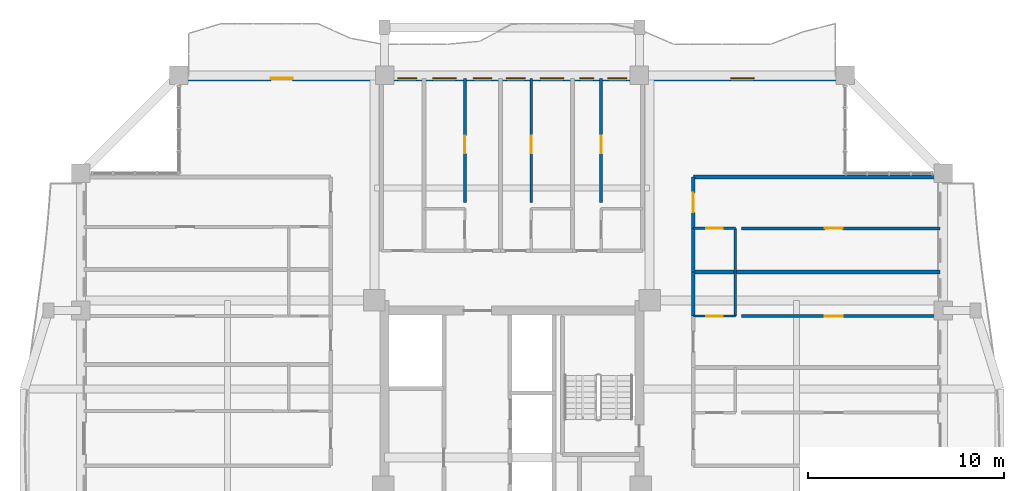
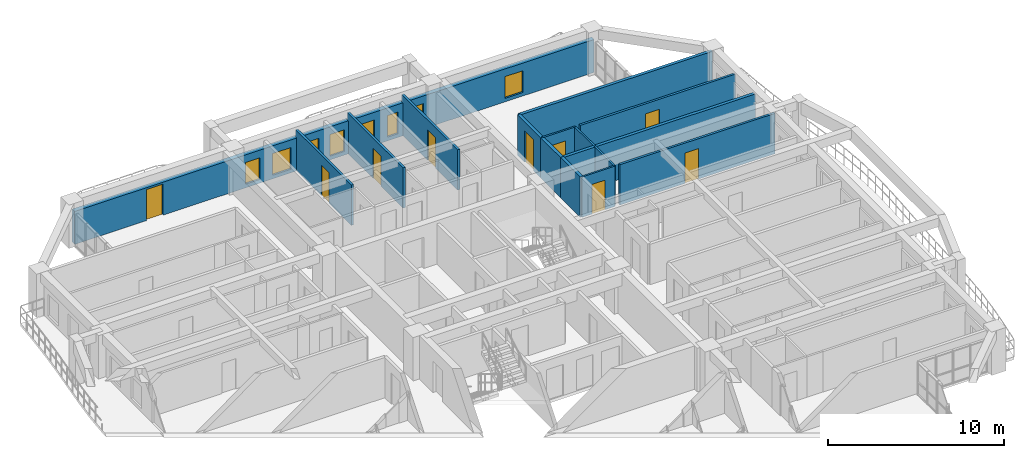
# One storey, part 17 of 24: 15 walls, 9 doors, 8 windows, 17 openings.
"""IFC4 building model written with IfcOpenShell, lengths in metres."""

from ifc_helpers import new_model, si_unit, direction, frame, frame_2d, origin, place, context, subcontext, project, spatial, rectangle, extrude, source, transform, mapped, material, layer, layer_set, type_object, element, fill, save


model = new_model("IFC4")

# Units and contexts
model_context = context("Model", 3, precision=1e-05, world=origin(), true_north=direction((0.0, 1.0)))
body_context = subcontext(model_context, "Body", "Model", "MODEL_VIEW")
ifc_project = project(units=[si_unit("LENGTHUNIT", "METRE"), si_unit("AREAUNIT", "SQUARE_METRE"), si_unit("VOLUMEUNIT", "CUBIC_METRE"), si_unit("PLANEANGLEUNIT", "RADIAN"), si_unit("MASSUNIT", "GRAM", prefix="KILO")], contexts=[model_context])

# Site, building, storey
site_placement = place(None, origin())
site = spatial("IfcSite", under=ifc_project, at=site_placement, CompositionType="ELEMENT")
building_placement = place(site_placement, origin())
building = spatial("IfcBuilding", under=site, at=building_placement, Name="Saelheon Loggia Tower", CompositionType="ELEMENT")
storey_placement = place(building_placement, frame((0.0, 0.0, 166.0)))
storey = spatial("IfcBuildingStorey", under=building, at=storey_placement, Name="L52", CompositionType="ELEMENT", Elevation=166.0)

# Wall, openings, windows, door
ifc_material_1 = material(Name="Architectural Precast Concrete C40/50", Category="concrete")
ifc_layer_1 = layer(ifc_material_1, 0.280029296875)
ifc_layer_set_1 = layer_set([ifc_layer_1], Name="Architectural Precast Concrete C40/50")
wall_type_1 = type_object("IfcWallType", Name="Wall_Ext_Loggia_280", PredefinedType="SOLIDWALL", material=ifc_layer_set_1)
wall_1_placement = place(storey_placement, frame((21.0, 47.860107421875, 0.0), z_axis=(0.0, 0.0, 1.0), x_axis=(1.0, 0.0, 0.0)))
wall_1 = element("IfcWall", 1, at=wall_1_placement, inside=storey, type_object=wall_type_1, Name="L52 North Loggia Inner Wall", PredefinedType="SOLIDWALL", context=body_context, shape_type="SweptSolid", body=[
    extrude(rectangle(XDim=34.0, YDim=0.280029296875, at=frame_2d((17.0, 0.0))), origin(), (0.0, 0.0, 1.0), 2.280029296875),
])
opening_1_placement = place(wall_1_placement, frame((4.699951171875, 0.0, 0.0)))
opening_1 = element("IfcOpeningElement", 2, at=opening_1_placement, cuts=wall_1, Name="Opening TD1", PredefinedType="OPENING", context=body_context, shape_type="SweptSolid", body=[
    extrude(rectangle(XDim=1.10009765625, YDim=2.14990234375, at=frame_2d((0.550048828125, 1.074951171875))), frame((0.0, 0.152099609375, 0.0), z_axis=(0.0, -1.0, 0.0), x_axis=(1.0, 0.0, 0.0)), (0.0, 0.0, 1.0), 0.303955078125),
])
opening_2_placement = place(wall_1_placement, frame((11.1826171875, 0.0, 0.25)))
opening_2 = element("IfcOpeningElement", 3, at=opening_2_placement, cuts=wall_1, Name="Opening WN-04", PredefinedType="OPENING", context=body_context, shape_type="SweptSolid", body=[
    extrude(rectangle(XDim=0.949951171875, YDim=1.5, at=frame_2d((0.47509765625, 0.75))), frame((0.0, 0.152099609375, 0.0), z_axis=(0.0, -1.0, 0.0), x_axis=(1.0, 0.0, 0.0)), (0.0, 0.0, 1.0), 0.303955078125),
])
opening_3_placement = place(wall_1_placement, frame((12.949951171875, 0.0, 0.25)))
opening_3 = element("IfcOpeningElement", 4, at=opening_3_placement, cuts=wall_1, Name="Opening WN-03", PredefinedType="OPENING", context=body_context, shape_type="SweptSolid", body=[
    extrude(rectangle(XDim=1.199951171875, YDim=1.5, at=frame_2d((0.60009765625, 0.75))), frame((0.0, 0.152099609375, 0.0), z_axis=(0.0, -1.0, 0.0), x_axis=(1.0, 0.0, 0.0)), (0.0, 0.0, 1.0), 0.303955078125),
])
opening_4_placement = place(wall_1_placement, frame((15.0263671875, 0.0, 0.25)))
opening_4 = element("IfcOpeningElement", 5, at=opening_4_placement, cuts=wall_1, Name="Opening WN-04", PredefinedType="OPENING", context=body_context, shape_type="SweptSolid", body=[
    extrude(rectangle(XDim=0.949951171875, YDim=1.5, at=frame_2d((0.47509765625, 0.75))), frame((0.0, 0.152099609375, 0.0), z_axis=(0.0, -1.0, 0.0), x_axis=(1.0, 0.0, 0.0)), (0.0, 0.0, 1.0), 0.303955078125),
])
opening_5_placement = place(wall_1_placement, frame((16.71728515625, 0.0, 0.25)))
opening_5 = element("IfcOpeningElement", 6, at=opening_5_placement, cuts=wall_1, Name="Opening WN-04", PredefinedType="OPENING", context=body_context, shape_type="SweptSolid", body=[
    extrude(rectangle(XDim=0.949951171875, YDim=1.5, at=frame_2d((0.47509765625, 0.75))), frame((0.0, 0.152099609375, 0.0), z_axis=(0.0, -1.0, 0.0), x_axis=(1.0, 0.0, 0.0)), (0.0, 0.0, 1.0), 0.303955078125),
])
opening_6_placement = place(wall_1_placement, frame((18.431884765625, 0.0, 0.25)))
opening_6 = element("IfcOpeningElement", 7, at=opening_6_placement, cuts=wall_1, Name="Opening WN-03", PredefinedType="OPENING", context=body_context, shape_type="SweptSolid", body=[
    extrude(rectangle(XDim=1.199951171875, YDim=1.5, at=frame_2d((0.60009765625, 0.75))), frame((0.0, 0.152099609375, 0.0), z_axis=(0.0, -1.0, 0.0), x_axis=(1.0, 0.0, 0.0)), (0.0, 0.0, 1.0), 0.303955078125),
])
opening_7_placement = place(wall_1_placement, frame((20.466064453125, 0.0, 0.25)))
opening_7 = element("IfcOpeningElement", 8, at=opening_7_placement, cuts=wall_1, Name="Opening WN-06", PredefinedType="OPENING", context=body_context, shape_type="SweptSolid", body=[
    extrude(rectangle(XDim=0.699951171875, YDim=1.5, at=frame_2d((0.35009765625, 0.75))), frame((0.0, 0.152099609375, 0.0), z_axis=(0.0, -1.0, 0.0), x_axis=(1.0, 0.0, 0.0)), (0.0, 0.0, 1.0), 0.303955078125),
])
opening_8_placement = place(wall_1_placement, frame((21.892578125, 0.0, 0.25)))
opening_8 = element("IfcOpeningElement", 9, at=opening_8_placement, cuts=wall_1, Name="Opening WN-04", PredefinedType="OPENING", context=body_context, shape_type="SweptSolid", body=[
    extrude(rectangle(XDim=0.949951171875, YDim=1.5, at=frame_2d((0.47509765625, 0.75))), frame((0.0, 0.152099609375, 0.0), z_axis=(0.0, -1.0, 0.0), x_axis=(1.0, 0.0, 0.0)), (0.0, 0.0, 1.0), 0.303955078125),
])
opening_9_placement = place(wall_1_placement, frame((28.14990234375, 0.0, 0.25)))
opening_9 = element("IfcOpeningElement", 10, at=opening_9_placement, cuts=wall_1, Name="Opening WN-03", PredefinedType="OPENING", context=body_context, shape_type="SweptSolid", body=[
    extrude(rectangle(XDim=1.199951171875, YDim=1.5, at=frame_2d((0.60009765625, 0.75))), frame((0.0, 0.152099609375, 0.0), z_axis=(0.0, -1.0, 0.0), x_axis=(1.0, 0.0, 0.0)), (0.0, 0.0, 1.0), 0.303955078125),
])
ifc_material_2 = material(Name="Thermal-Break Aluminium and Triple Low-E Glass", Category="aluminium")
window_type_1 = type_object("IfcWindowType", Name="Win_Slot_700x1500", PartitioningType="SINGLE_PANEL", PredefinedType="WINDOW", material=ifc_material_2)
shared_shape_1 = source(origin(), body_context, "Body", "SweptSolid", [
    extrude(rectangle(XDim=0.699951171875, YDim=1.5, at=frame_2d((0.35009765625, 0.75))), frame((0.0, 0.030029296875, 0.0), z_axis=(0.0, -1.0, 0.0), x_axis=(1.0, 0.0, 0.0)), (0.0, 0.0, 1.0), 0.06005859375),
])
window_1_placement = place(opening_7_placement, origin())
window_1 = element("IfcWindow", 11, at=window_1_placement, inside=storey, type_object=window_type_1, Name="L52 N Dwelling Window 7", OverallHeight=1.5, OverallWidth=0.699951171875, PartitioningType="SINGLE_PANEL", PredefinedType="WINDOW", context=body_context, shape_type="MappedRepresentation", body=[
    mapped(shared_shape_1, transform((0.0, 0.0, 0.0), scale=1.0)),
])
fill(opening_7, window_1)
window_type_2 = type_object("IfcWindowType", Name="Win_Bedroom_1200x1500", PartitioningType="SINGLE_PANEL", PredefinedType="WINDOW", material=ifc_material_2)
shared_shape_2 = source(origin(), body_context, "Body", "SweptSolid", [
    extrude(rectangle(XDim=1.199951171875, YDim=1.5, at=frame_2d((0.60009765625, 0.75))), frame((0.0, 0.030029296875, 0.0), z_axis=(0.0, -1.0, 0.0), x_axis=(1.0, 0.0, 0.0)), (0.0, 0.0, 1.0), 0.06005859375),
])
window_2_placement = place(opening_3_placement, origin())
window_2 = element("IfcWindow", 12, at=window_2_placement, inside=storey, type_object=window_type_2, Name="L52 N Dwelling Window 3", OverallHeight=1.5, OverallWidth=1.199951171875, PartitioningType="SINGLE_PANEL", PredefinedType="WINDOW", context=body_context, shape_type="MappedRepresentation", body=[
    mapped(shared_shape_2, transform((0.0, 0.0, 0.0), scale=1.0)),
])
fill(opening_3, window_2)
window_3_placement = place(opening_6_placement, origin())
window_3 = element("IfcWindow", 13, at=window_3_placement, inside=storey, type_object=window_type_2, Name="L52 N Dwelling Window 6", OverallHeight=1.5, OverallWidth=1.199951171875, PartitioningType="SINGLE_PANEL", PredefinedType="WINDOW", context=body_context, shape_type="MappedRepresentation", body=[
    mapped(shared_shape_2, transform((0.0, 0.0, 0.0), scale=1.0)),
])
fill(opening_6, window_3)
window_4_placement = place(opening_9_placement, origin())
window_4 = element("IfcWindow", 14, at=window_4_placement, inside=storey, type_object=window_type_2, Name="L52 N Dwelling Window 9", OverallHeight=1.5, OverallWidth=1.199951171875, PartitioningType="SINGLE_PANEL", PredefinedType="WINDOW", context=body_context, shape_type="MappedRepresentation", body=[
    mapped(shared_shape_2, transform((0.0, 0.0, 0.0), scale=1.0)),
])
fill(opening_9, window_4)
ifc_material_3 = material(Name="Thermal-Break Aluminium Glazed Door", Category="aluminium")
door_type_1 = type_object("IfcDoorType", Name="Door_Terrace_TD1", OperationType="NOTDEFINED", PredefinedType="DOOR", material=ifc_material_3)
shared_shape_3 = source(origin(), body_context, "Body", "SweptSolid", [
    extrude(rectangle(XDim=1.10009765625, YDim=2.14990234375, at=frame_2d((0.550048828125, 1.074951171875))), frame((0.0, 0.02490234375, 0.0), z_axis=(0.0, -1.0, 0.0), x_axis=(1.0, 0.0, 0.0)), (0.0, 0.0, 1.0), 0.050048828125),
])
door_1_placement = place(opening_1_placement, origin())
door_1 = element("IfcDoor", 15, at=door_1_placement, inside=storey, type_object=door_type_1, Name="L52 N Loggia Access Door", OperationType="SINGLE_SWING_LEFT", OverallHeight=2.14990234375, OverallWidth=1.10009765625, PredefinedType="DOOR", context=body_context, shape_type="MappedRepresentation", body=[
    mapped(shared_shape_3, transform((0.0, 0.0, 0.0), scale=1.0)),
])
fill(opening_1, door_1)
window_type_3 = type_object("IfcWindowType", Name="Win_Narrow_950x1500", PartitioningType="SINGLE_PANEL", PredefinedType="WINDOW", material=ifc_material_2)
shared_shape_4 = source(origin(), body_context, "Body", "SweptSolid", [
    extrude(rectangle(XDim=0.949951171875, YDim=1.5, at=frame_2d((0.47509765625, 0.75))), frame((0.0, 0.030029296875, 0.0), z_axis=(0.0, -1.0, 0.0), x_axis=(1.0, 0.0, 0.0)), (0.0, 0.0, 1.0), 0.06005859375),
])
window_5_placement = place(opening_2_placement, origin())
window_5 = element("IfcWindow", 16, at=window_5_placement, inside=storey, type_object=window_type_3, Name="L52 N Dwelling Window 2", OverallHeight=1.5, OverallWidth=0.949951171875, PartitioningType="SINGLE_PANEL", PredefinedType="WINDOW", context=body_context, shape_type="MappedRepresentation", body=[
    mapped(shared_shape_4, transform((0.0, 0.0, 0.0), scale=1.0)),
])
fill(opening_2, window_5)
window_6_placement = place(opening_4_placement, origin())
window_6 = element("IfcWindow", 17, at=window_6_placement, inside=storey, type_object=window_type_3, Name="L52 N Dwelling Window 4", OverallHeight=1.5, OverallWidth=0.949951171875, PartitioningType="SINGLE_PANEL", PredefinedType="WINDOW", context=body_context, shape_type="MappedRepresentation", body=[
    mapped(shared_shape_4, transform((0.0, 0.0, 0.0), scale=1.0)),
])
fill(opening_4, window_6)
window_7_placement = place(opening_5_placement, origin())
window_7 = element("IfcWindow", 18, at=window_7_placement, inside=storey, type_object=window_type_3, Name="L52 N Dwelling Window 5", OverallHeight=1.5, OverallWidth=0.949951171875, PartitioningType="SINGLE_PANEL", PredefinedType="WINDOW", context=body_context, shape_type="MappedRepresentation", body=[
    mapped(shared_shape_4, transform((0.0, 0.0, 0.0), scale=1.0)),
])
fill(opening_5, window_7)
window_8_placement = place(opening_8_placement, origin())
window_8 = element("IfcWindow", 19, at=window_8_placement, inside=storey, type_object=window_type_3, Name="L52 N Dwelling Window 8", OverallHeight=1.5, OverallWidth=0.949951171875, PartitioningType="SINGLE_PANEL", PredefinedType="WINDOW", context=body_context, shape_type="MappedRepresentation", body=[
    mapped(shared_shape_4, transform((0.0, 0.0, 0.0), scale=1.0)),
])
fill(opening_8, window_8)

# Wall, opening, door
ifc_material_4 = material(Name="Lightweight Autoclaved Aerated Concrete Block and Acoustic Gypsum", Category="concrete")
ifc_layer_2 = layer(ifc_material_4, 0.14990234375)
ifc_layer_set_2 = layer_set([ifc_layer_2], Name="Lightweight Autoclaved Aerated Concrete Block and Acoustic Gypsum")
wall_type_2 = type_object("IfcWallType", Name="Wall_Part_150", PredefinedType="PARTITIONING", material=ifc_layer_set_2)
wall_2_placement = place(storey_placement, frame((35.60009765625, 41.510009765625, 0.0), z_axis=(0.0, 0.0, 1.0), x_axis=(0.0, 1.0, 0.0)))
wall_2 = element("IfcWall", 20, at=wall_2_placement, inside=storey, type_object=wall_type_2, Name="L52 N Partition U09", PredefinedType="PARTITIONING", context=body_context, shape_type="SweptSolid", body=[
    extrude(rectangle(XDim=6.340087890625, YDim=0.14990234375, at=frame_2d((3.169921875, 0.0))), origin(), (0.0, 0.0, 1.0), 2.7900390625),
])
opening_10_placement = place(wall_2_placement, frame((2.51318359375, 0.0, 0.0)))
opening_10 = element("IfcOpeningElement", 21, at=opening_10_placement, cuts=wall_2, Name="Opening D-IN2", PredefinedType="OPENING", context=body_context, shape_type="SweptSolid", body=[
    extrude(rectangle(XDim=0.89990234375, YDim=2.10009765625, at=frame_2d((0.449951171875, 1.050048828125))), frame((0.0, 0.0869140625, 0.0), z_axis=(0.0, -1.0, 0.0), x_axis=(1.0, 0.0, 0.0)), (0.0, 0.0, 1.0), 0.173828125),
])
ifc_material_5 = material(Name="Engineered Oak Flush Door", Category="timber")
door_type_2 = type_object("IfcDoorType", Name="Door_Int_900", OperationType="NOTDEFINED", PredefinedType="DOOR", material=ifc_material_5)
shared_shape_5 = source(origin(), body_context, "Body", "SweptSolid", [
    extrude(rectangle(XDim=0.89990234375, YDim=2.10009765625, at=frame_2d((0.449951171875, 1.050048828125))), frame((0.0, 0.02490234375, 0.0), z_axis=(0.0, -1.0, 0.0), x_axis=(1.0, 0.0, 0.0)), (0.0, 0.0, 1.0), 0.050048828125),
])
door_2_placement = place(opening_10_placement, origin())
door_2 = element("IfcDoor", 22, at=door_2_placement, inside=storey, type_object=door_type_2, Name="Unit U04 Kitchen Door", OperationType="SINGLE_SWING_LEFT", OverallHeight=2.10009765625, OverallWidth=0.89990234375, PredefinedType="DOOR", context=body_context, shape_type="MappedRepresentation", body=[
    mapped(shared_shape_5, transform((0.0, 0.0, 0.0), scale=1.0)),
])
fill(opening_10, door_2)

wall_3_placement = place(storey_placement, frame((38.98193359375, 41.510009765625, 0.0), z_axis=(0.0, 0.0, 1.0), x_axis=(0.0, 1.0, 0.0)))
wall_3 = element("IfcWall", 23, at=wall_3_placement, inside=storey, type_object=wall_type_2, Name="L52 N Partition U15", PredefinedType="PARTITIONING", context=body_context, shape_type="SweptSolid", body=[
    extrude(rectangle(XDim=6.340087890625, YDim=0.14990234375, at=frame_2d((3.169921875, 0.0))), origin(), (0.0, 0.0, 1.0), 2.7900390625),
])
opening_11_placement = place(wall_3_placement, frame((2.51318359375, 0.0, 0.0)))
opening_11 = element("IfcOpeningElement", 24, at=opening_11_placement, cuts=wall_3, Name="Opening D-IN2", PredefinedType="OPENING", context=body_context, shape_type="SweptSolid", body=[
    extrude(rectangle(XDim=0.89990234375, YDim=2.10009765625, at=frame_2d((0.449951171875, 1.050048828125))), frame((0.0, 0.0869140625, 0.0), z_axis=(0.0, -1.0, 0.0), x_axis=(1.0, 0.0, 0.0)), (0.0, 0.0, 1.0), 0.173828125),
])
door_3_placement = place(opening_11_placement, origin())
door_3 = element("IfcDoor", 25, at=door_3_placement, inside=storey, type_object=door_type_2, Name="Unit U05 Kitchen Door", OperationType="SINGLE_SWING_RIGHT", OverallHeight=2.10009765625, OverallWidth=0.89990234375, PredefinedType="DOOR", context=body_context, shape_type="MappedRepresentation", body=[
    mapped(shared_shape_5, transform((0.0, 0.0, 0.0), scale=1.0)),
])
fill(opening_11, door_3)

wall_4_placement = place(storey_placement, frame((42.550048828125, 41.510009765625, 0.0), z_axis=(0.0, 0.0, 1.0), x_axis=(0.0, 1.0, 0.0)))
wall_4 = element("IfcWall", 26, at=wall_4_placement, inside=storey, type_object=wall_type_2, Name="L52 N Partition U21", PredefinedType="PARTITIONING", context=body_context, shape_type="SweptSolid", body=[
    extrude(rectangle(XDim=6.340087890625, YDim=0.14990234375, at=frame_2d((3.169921875, 0.0))), origin(), (0.0, 0.0, 1.0), 2.7900390625),
])
opening_12_placement = place(wall_4_placement, frame((2.51318359375, 0.0, 0.0)))
opening_12 = element("IfcOpeningElement", 27, at=opening_12_placement, cuts=wall_4, Name="Opening D-IN2", PredefinedType="OPENING", context=body_context, shape_type="SweptSolid", body=[
    extrude(rectangle(XDim=0.89990234375, YDim=2.10009765625, at=frame_2d((0.449951171875, 1.050048828125))), frame((0.0, 0.0869140625, 0.0), z_axis=(0.0, -1.0, 0.0), x_axis=(1.0, 0.0, 0.0)), (0.0, 0.0, 1.0), 0.173828125),
])
door_4_placement = place(opening_12_placement, origin())
door_4 = element("IfcDoor", 28, at=door_4_placement, inside=storey, type_object=door_type_2, Name="Unit U06 Kitchen Door", OperationType="SINGLE_SWING_LEFT", OverallHeight=2.10009765625, OverallWidth=0.89990234375, PredefinedType="DOOR", context=body_context, shape_type="MappedRepresentation", body=[
    mapped(shared_shape_5, transform((0.0, 0.0, 0.0), scale=1.0)),
])
fill(opening_12, door_4)

wall_5_placement = place(storey_placement, frame((49.7099609375, 35.719970703125, 0.0), z_axis=(0.0, 0.0, 1.0), x_axis=(1.0, 0.0, 0.0)))
wall_5 = element("IfcWall", 29, at=wall_5_placement, inside=storey, type_object=wall_type_2, Name="L52 EN Partition U13", PredefinedType="PARTITIONING", context=body_context, shape_type="SweptSolid", body=[
    extrude(rectangle(XDim=10.14013671875, YDim=0.14990234375, at=frame_2d((5.070068359375, 0.0))), origin(), (0.0, 0.0, 1.0), 2.7900390625),
])
opening_13_placement = place(wall_5_placement, frame((4.2548828125, 0.0, 0.0)))
opening_13 = element("IfcOpeningElement", 30, at=opening_13_placement, cuts=wall_5, Name="Opening D-IN2", PredefinedType="OPENING", context=body_context, shape_type="SweptSolid", body=[
    extrude(rectangle(XDim=0.89990234375, YDim=2.10009765625, at=frame_2d((0.449951171875, 1.050048828125))), frame((0.0, 0.0869140625, 0.0), z_axis=(0.0, -1.0, 0.0), x_axis=(1.0, 0.0, 0.0)), (0.0, 0.0, 1.0), 0.173828125),
])
door_5_placement = place(opening_13_placement, origin())
door_5 = element("IfcDoor", 31, at=door_5_placement, inside=storey, type_object=door_type_2, Name="Unit U17 Kitchen Door", OperationType="SINGLE_SWING_RIGHT", OverallHeight=2.10009765625, OverallWidth=0.89990234375, PredefinedType="DOOR", context=body_context, shape_type="MappedRepresentation", body=[
    mapped(shared_shape_5, transform((0.0, 0.0, 0.0), scale=1.0)),
])
fill(opening_13, door_5)

wall_6_placement = place(storey_placement, frame((49.7099609375, 40.193359375, 0.0), z_axis=(0.0, 0.0, 1.0), x_axis=(1.0, 0.0, 0.0)))
wall_6 = element("IfcWall", 32, at=wall_6_placement, inside=storey, type_object=wall_type_2, Name="L52 EN Partition U19", PredefinedType="PARTITIONING", context=body_context, shape_type="SweptSolid", body=[
    extrude(rectangle(XDim=10.14013671875, YDim=0.14990234375, at=frame_2d((5.070068359375, 0.0))), origin(), (0.0, 0.0, 1.0), 2.7900390625),
])
opening_14_placement = place(wall_6_placement, frame((4.2548828125, 0.0, 0.0)))
opening_14 = element("IfcOpeningElement", 33, at=opening_14_placement, cuts=wall_6, Name="Opening D-IN2", PredefinedType="OPENING", context=body_context, shape_type="SweptSolid", body=[
    extrude(rectangle(XDim=0.89990234375, YDim=2.10009765625, at=frame_2d((0.449951171875, 1.050048828125))), frame((0.0, 0.0869140625, 0.0), z_axis=(0.0, -1.0, 0.0), x_axis=(1.0, 0.0, 0.0)), (0.0, 0.0, 1.0), 0.173828125),
])
door_6_placement = place(opening_14_placement, origin())
door_6 = element("IfcDoor", 34, at=door_6_placement, inside=storey, type_object=door_type_2, Name="Unit U18 Kitchen Door", OperationType="SINGLE_SWING_LEFT", OverallHeight=2.10009765625, OverallWidth=0.89990234375, PredefinedType="DOOR", context=body_context, shape_type="MappedRepresentation", body=[
    mapped(shared_shape_5, transform((0.0, 0.0, 0.0), scale=1.0)),
])
fill(opening_14, door_6)

# Walls
ifc_material_6 = material(Name="Double Acoustic Stud and Fireboard Partition", Category="gypsum")
ifc_layer_3 = layer(ifc_material_6, 0.199951171875)
ifc_layer_set_3 = layer_set([ifc_layer_3], Name="Double Acoustic Stud and Fireboard Partition")
wall_type_3 = type_object("IfcWallType", Name="Wall_Party_200", PredefinedType="PARTITIONING", material=ifc_layer_set_3)
wall_7_placement = place(storey_placement, frame((47.25, 42.820068359375, 0.0), z_axis=(0.0, 0.0, 1.0), x_axis=(1.0, 0.0, 0.0)))
element("IfcWall", 35, at=wall_7_placement, inside=storey, type_object=wall_type_3, Name="L52 EN Partition U02", PredefinedType="PARTITIONING", context=body_context, shape_type="SweptSolid", body=[
    extrude(rectangle(XDim=12.60009765625, YDim=0.199951171875, at=frame_2d((6.300048828125, 0.0))), origin(), (0.0, 0.0, 1.0), 2.7900390625),
])
wall_8_placement = place(storey_placement, frame((47.25, 35.719970703125, 0.0), z_axis=(0.0, 0.0, 1.0), x_axis=(0.0, 1.0, 0.0)))
element("IfcWall", 36, at=wall_8_placement, inside=storey, type_object=wall_type_3, Name="L52 EN Partition V10", PredefinedType="PARTITIONING", context=body_context, shape_type="SweptSolid", body=[
    extrude(rectangle(XDim=2.23583984375, YDim=0.199951171875, at=frame_2d((1.117919921875, 0.0))), origin(), (0.0, 0.0, 1.0), 2.7900390625),
])
wall_9_placement = place(storey_placement, frame((47.25, 37.955810546875, 0.0), z_axis=(0.0, 0.0, 1.0), x_axis=(1.0, 0.0, 0.0)))
element("IfcWall", 37, at=wall_9_placement, inside=storey, type_object=wall_type_3, Name="L52 EN Partition U14", PredefinedType="PARTITIONING", context=body_context, shape_type="SweptSolid", body=[
    extrude(rectangle(XDim=12.60009765625, YDim=0.199951171875, at=frame_2d((6.300048828125, 0.0))), origin(), (0.0, 0.0, 1.0), 2.7900390625),
])
wall_10_placement = place(storey_placement, frame((47.25, 37.955810546875, 0.0), z_axis=(0.0, 0.0, 1.0), x_axis=(0.0, 1.0, 0.0)))
element("IfcWall", 38, at=wall_10_placement, inside=storey, type_object=wall_type_3, Name="L52 EN Partition V15", PredefinedType="PARTITIONING", context=body_context, shape_type="SweptSolid", body=[
    extrude(rectangle(XDim=2.237548828125, YDim=0.199951171875, at=frame_2d((1.11865234375, 0.0))), origin(), (0.0, 0.0, 1.0), 2.7900390625),
])

# Wall, opening, door
wall_11_placement = place(storey_placement, frame((47.25, 40.193359375, 0.0), z_axis=(0.0, 0.0, 1.0), x_axis=(0.0, 1.0, 0.0)))
wall_11 = element("IfcWall", 39, at=wall_11_placement, inside=storey, type_object=wall_type_3, Name="L52 EN Partition V16", PredefinedType="PARTITIONING", context=body_context, shape_type="SweptSolid", body=[
    extrude(rectangle(XDim=2.626708984375, YDim=0.199951171875, at=frame_2d((1.3134765625, 0.0))), origin(), (0.0, 0.0, 1.0), 2.7900390625),
])
opening_15_placement = place(wall_11_placement, frame((0.813232421875, 0.0, 0.0)))
opening_15 = element("IfcOpeningElement", 40, at=opening_15_placement, cuts=wall_11, Name="Opening D-FD1", PredefinedType="OPENING", context=body_context, shape_type="SweptSolid", body=[
    extrude(rectangle(XDim=1.0, YDim=2.14990234375, at=frame_2d((0.5, 1.074951171875))), frame((0.0, 0.112060546875, 0.0), z_axis=(0.0, -1.0, 0.0), x_axis=(1.0, 0.0, 0.0)), (0.0, 0.0, 1.0), 0.223876953125),
])
ifc_material_7 = material(Name="Fire-Rated Engineered Timber Entrance Door", Category="wood")
door_type_3 = type_object("IfcDoorType", Name="Door_Flat_FD30S", OperationType="NOTDEFINED", PredefinedType="DOOR", material=ifc_material_7)
shared_shape_6 = source(origin(), body_context, "Body", "SweptSolid", [
    extrude(rectangle(XDim=1.0, YDim=2.14990234375, at=frame_2d((0.5, 1.074951171875))), frame((0.0, 0.02490234375, 0.0), z_axis=(0.0, -1.0, 0.0), x_axis=(1.0, 0.0, 0.0)), (0.0, 0.0, 1.0), 0.050048828125),
])
door_7_placement = place(opening_15_placement, origin())
door_7 = element("IfcDoor", 41, at=door_7_placement, inside=storey, type_object=door_type_3, Name="Unit U18 Entrance Door", OperationType="SINGLE_SWING_LEFT", OverallHeight=2.14990234375, OverallWidth=1.0, PredefinedType="DOOR", context=body_context, shape_type="MappedRepresentation", body=[
    mapped(shared_shape_6, transform((0.0, 0.0, 0.0), scale=1.0)),
])
fill(opening_15, door_7)

ifc_material_8 = material(Name="Moisture-Resistant Cement Board Partition", Category="gypsum")
ifc_layer_4 = layer(ifc_material_8, 0.1201171875)
ifc_layer_set_4 = layer_set([ifc_layer_4], Name="Moisture-Resistant Cement Board Partition")
wall_type_4 = type_object("IfcWallType", Name="Wall_WetPart_120", PredefinedType="PARTITIONING", material=ifc_layer_set_4)
wall_12_placement = place(storey_placement, frame((47.25, 35.719970703125, 0.0), z_axis=(0.0, 0.0, 1.0), x_axis=(1.0, 0.0, 0.0)))
wall_12 = element("IfcWall", 42, at=wall_12_placement, inside=storey, type_object=wall_type_4, Name="L52 EN Partition U11", PredefinedType="PARTITIONING", context=body_context, shape_type="SweptSolid", body=[
    extrude(rectangle(XDim=2.14990234375, YDim=0.1201171875, at=frame_2d((1.074951171875, 0.0))), origin(), (0.0, 0.0, 1.0), 2.7900390625),
])
opening_16_placement = place(wall_12_placement, frame((0.64990234375, 0.0, 0.0)))
opening_16 = element("IfcOpeningElement", 43, at=opening_16_placement, cuts=wall_12, Name="Opening D-BT1", PredefinedType="OPENING", context=body_context, shape_type="SweptSolid", body=[
    extrude(rectangle(XDim=0.85009765625, YDim=2.050048828125, at=frame_2d((0.425048828125, 1.02490234375))), frame((0.0, 0.072021484375, 0.0), z_axis=(0.0, -1.0, 0.0), x_axis=(1.0, 0.0, 0.0)), (0.0, 0.0, 1.0), 0.14404296875),
])
ifc_material_9 = material(Name="Moisture-Resistant Laminate Timber Door", Category="wood")
door_type_4 = type_object("IfcDoorType", Name="Door_Bath_850", OperationType="NOTDEFINED", PredefinedType="DOOR", material=ifc_material_9)
shared_shape_7 = source(origin(), body_context, "Body", "SweptSolid", [
    extrude(rectangle(XDim=0.85009765625, YDim=2.050048828125, at=frame_2d((0.425048828125, 1.02490234375))), frame((0.0, 0.02490234375, 0.0), z_axis=(0.0, -1.0, 0.0), x_axis=(1.0, 0.0, 0.0)), (0.0, 0.0, 1.0), 0.050048828125),
])
door_8_placement = place(opening_16_placement, origin())
door_8 = element("IfcDoor", 44, at=door_8_placement, inside=storey, type_object=door_type_4, Name="Unit U17 Bathroom Door", OperationType="SINGLE_SWING_LEFT", OverallHeight=2.050048828125, OverallWidth=0.85009765625, PredefinedType="DOOR", context=body_context, shape_type="MappedRepresentation", body=[
    mapped(shared_shape_7, transform((0.0, 0.0, 0.0), scale=1.0)),
])
fill(opening_16, door_8)

# Wall
wall_13_placement = place(storey_placement, frame((49.39990234375, 35.719970703125, 0.0), z_axis=(0.0, 0.0, 1.0), x_axis=(0.0, 1.0, 0.0)))
element("IfcWall", 45, at=wall_13_placement, inside=storey, type_object=wall_type_4, Name="L52 EN Partition V12", PredefinedType="PARTITIONING", context=body_context, shape_type="SweptSolid", body=[
    extrude(rectangle(XDim=2.23583984375, YDim=0.1201171875, at=frame_2d((1.117919921875, 0.0))), origin(), (0.0, 0.0, 1.0), 2.7900390625),
])

# Wall, opening, door
wall_14_placement = place(storey_placement, frame((47.25, 40.193359375, 0.0), z_axis=(0.0, 0.0, 1.0), x_axis=(1.0, 0.0, 0.0)))
wall_14 = element("IfcWall", 46, at=wall_14_placement, inside=storey, type_object=wall_type_4, Name="L52 EN Partition U17", PredefinedType="PARTITIONING", context=body_context, shape_type="SweptSolid", body=[
    extrude(rectangle(XDim=2.14990234375, YDim=0.1201171875, at=frame_2d((1.074951171875, 0.0))), origin(), (0.0, 0.0, 1.0), 2.7900390625),
])
opening_17_placement = place(wall_14_placement, frame((0.64990234375, 0.0, 0.0)))
opening_17 = element("IfcOpeningElement", 47, at=opening_17_placement, cuts=wall_14, Name="Opening D-BT1", PredefinedType="OPENING", context=body_context, shape_type="SweptSolid", body=[
    extrude(rectangle(XDim=0.85009765625, YDim=2.050048828125, at=frame_2d((0.425048828125, 1.02490234375))), frame((0.0, 0.072021484375, 0.0), z_axis=(0.0, -1.0, 0.0), x_axis=(1.0, 0.0, 0.0)), (0.0, 0.0, 1.0), 0.14404296875),
])
door_9_placement = place(opening_17_placement, origin())
door_9 = element("IfcDoor", 48, at=door_9_placement, inside=storey, type_object=door_type_4, Name="Unit U18 Bathroom Door", OperationType="SINGLE_SWING_RIGHT", OverallHeight=2.050048828125, OverallWidth=0.85009765625, PredefinedType="DOOR", context=body_context, shape_type="MappedRepresentation", body=[
    mapped(shared_shape_7, transform((0.0, 0.0, 0.0), scale=1.0)),
])
fill(opening_17, door_9)

# Wall
wall_15_placement = place(storey_placement, frame((49.39990234375, 37.955810546875, 0.0), z_axis=(0.0, 0.0, 1.0), x_axis=(0.0, 1.0, 0.0)))
element("IfcWall", 49, at=wall_15_placement, inside=storey, type_object=wall_type_4, Name="L52 EN Partition V18", PredefinedType="PARTITIONING", context=body_context, shape_type="SweptSolid", body=[
    extrude(rectangle(XDim=2.237548828125, YDim=0.1201171875, at=frame_2d((1.11865234375, 0.0))), origin(), (0.0, 0.0, 1.0), 2.7900390625),
])

save(model, "model.ifc")
